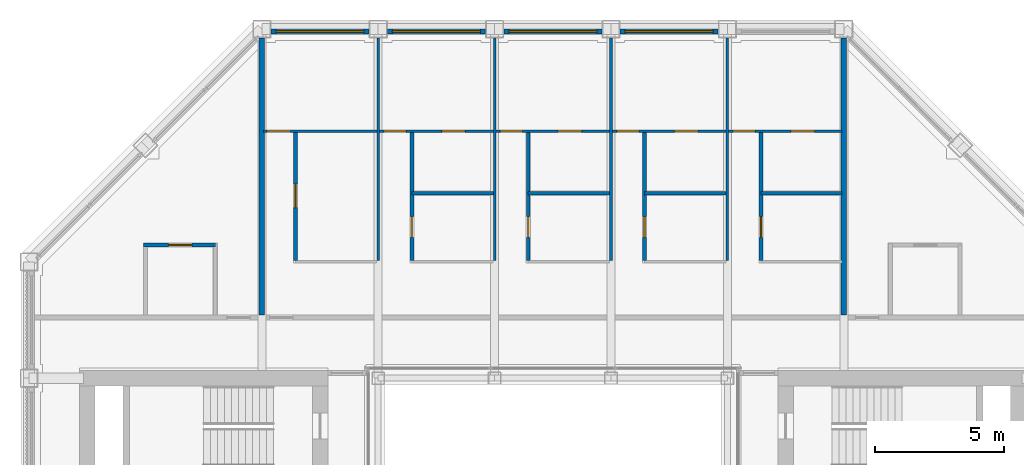
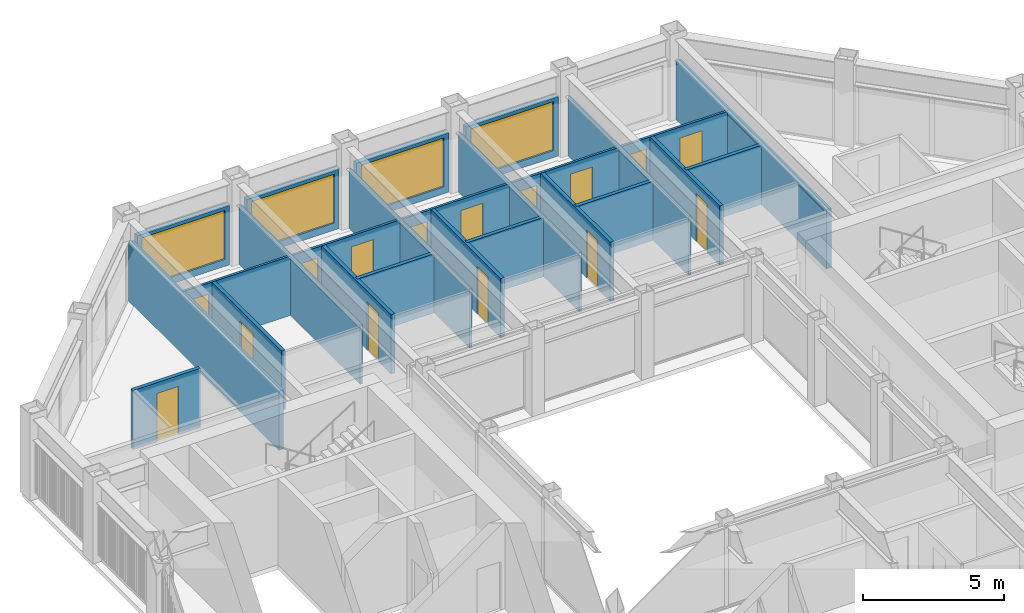
# One storey, part 12 of 17: 25 walls, 15 doors, 4 windows, 19 openings.
"""IFC4 building model written with IfcOpenShell, lengths in metres."""

from ifc_helpers import new_model, si_unit, direction, frame, frame_2d, origin, place, context, subcontext, project, spatial, rectangle, extrude, material, layer, layer_set, type_object, element, fill, save


model = new_model("IFC4")

# Units and contexts
model_context = context("Model", 3, precision=1e-05, world=origin(), true_north=direction((0.0, 1.0)))
body_context = subcontext(model_context, "Body", "Model", "MODEL_VIEW")
ifc_project = project(units=[si_unit("LENGTHUNIT", "METRE"), si_unit("AREAUNIT", "SQUARE_METRE"), si_unit("VOLUMEUNIT", "CUBIC_METRE"), si_unit("PLANEANGLEUNIT", "RADIAN"), si_unit("MASSUNIT", "GRAM", prefix="KILO")], contexts=[model_context])

# Site, building, storey
site_placement = place(None, origin())
site = spatial("IfcSite", under=ifc_project, at=site_placement, CompositionType="ELEMENT")
building_placement = place(site_placement, origin())
building = spatial("IfcBuilding", under=site, at=building_placement, Name="Msasa Ring Tower", CompositionType="ELEMENT")
storey_placement = place(building_placement, frame((0.0, 0.0, 253.300048828125)))
storey = spatial("IfcBuildingStorey", under=building, at=storey_placement, Name="L66", CompositionType="ELEMENT", Elevation=253.300048828125)

# Wall, opening, window
ifc_material_1 = material(Name="Terracotta rainscreen on blockwork", Category="masonry")
ifc_layer_1 = layer(ifc_material_1, 0.199951171875)
ifc_layer_set_1 = layer_set([ifc_layer_1], Name="FW1 TERRACOTTA-LINED INFILL BAY WALL 200")
wall_type_1 = type_object("IfcWallType", Name="FW1 TERRACOTTA-LINED INFILL BAY WALL 200", PredefinedType="SOLIDWALL", material=ifc_layer_set_1)
wall_1_placement = place(storey_placement, frame((-10.89501953125, 20.14990234375, 0.0), z_axis=(0.0, 0.0, 1.0), x_axis=(1.0, 0.0, 0.0)))
wall_1 = element("IfcWall", 1, at=wall_1_placement, inside=storey, type_object=wall_type_1, Name="Infill bay wall N L66 14", PredefinedType="SOLIDWALL", context=body_context, shape_type="SweptSolid", body=[
    extrude(rectangle(XDim=3.7900390625, YDim=0.199951171875, at=frame_2d((1.89501953125, 0.0))), origin(), (0.0, 0.0, 1.0), 2.578857421875),
])
opening_1_placement = place(wall_1_placement, frame((0.195068359375, 0.0, 0.300048828125)))
opening_1 = element("IfcOpeningElement", 2, at=opening_1_placement, cuts=wall_1, Name="Opening WN8", PredefinedType="OPENING", context=body_context, shape_type="SweptSolid", body=[
    extrude(rectangle(XDim=3.39990234375, YDim=2.12890625, at=frame_2d((1.699951171875, 1.064453125))), frame((0.0, 0.10986328125, 0.0), z_axis=(0.0, -1.0, 0.0), x_axis=(1.0, 0.0, 0.0)), (0.0, 0.0, 1.0), 0.219970703125),
])
ifc_material_2 = material(Name="Aluminium frame with clear glass", Category="aluminium")
window_type = type_object("IfcWindowType", Name="WN8 SUITE WINDOW 3400x2129", PartitioningType="SINGLE_PANEL", PredefinedType="WINDOW", material=ifc_material_2)
window_1_placement = place(opening_1_placement, origin())
window_1 = element("IfcWindow", 3, at=window_1_placement, inside=storey, type_object=window_type, Name="Window N L66 14", OverallHeight=2.12890625, OverallWidth=3.39990234375, PartitioningType="SINGLE_PANEL", PredefinedType="WINDOW", context=body_context, shape_type="SweptSolid", body=[
    extrude(rectangle(XDim=3.39990234375, YDim=2.12890625, at=frame_2d((1.699951171875, 1.064453125))), frame((0.0, 0.030029296875, 0.0), z_axis=(0.0, -1.0, 0.0), x_axis=(1.0, 0.0, 0.0)), (0.0, 0.0, 1.0), 0.06005859375),
])
fill(opening_1, window_1)

wall_2_placement = place(storey_placement, frame((-6.39501953125, 20.14990234375, 0.0), z_axis=(0.0, 0.0, 1.0), x_axis=(1.0, 0.0, 0.0)))
wall_2 = element("IfcWall", 4, at=wall_2_placement, inside=storey, type_object=wall_type_1, Name="Infill bay wall N L66 15", PredefinedType="SOLIDWALL", context=body_context, shape_type="SweptSolid", body=[
    extrude(rectangle(XDim=3.7900390625, YDim=0.199951171875, at=frame_2d((1.89501953125, 0.0))), origin(), (0.0, 0.0, 1.0), 2.578857421875),
])
opening_2_placement = place(wall_2_placement, frame((0.195068359375, 0.0, 0.300048828125)))
opening_2 = element("IfcOpeningElement", 5, at=opening_2_placement, cuts=wall_2, Name="Opening WN8", PredefinedType="OPENING", context=body_context, shape_type="SweptSolid", body=[
    extrude(rectangle(XDim=3.39990234375, YDim=2.12890625, at=frame_2d((1.699951171875, 1.064453125))), frame((0.0, 0.10986328125, 0.0), z_axis=(0.0, -1.0, 0.0), x_axis=(1.0, 0.0, 0.0)), (0.0, 0.0, 1.0), 0.219970703125),
])
window_2_placement = place(opening_2_placement, origin())
window_2 = element("IfcWindow", 6, at=window_2_placement, inside=storey, type_object=window_type, Name="Window N L66 15", OverallHeight=2.12890625, OverallWidth=3.39990234375, PartitioningType="SINGLE_PANEL", PredefinedType="WINDOW", context=body_context, shape_type="SweptSolid", body=[
    extrude(rectangle(XDim=3.39990234375, YDim=2.12890625, at=frame_2d((1.699951171875, 1.064453125))), frame((0.0, 0.030029296875, 0.0), z_axis=(0.0, -1.0, 0.0), x_axis=(1.0, 0.0, 0.0)), (0.0, 0.0, 1.0), 0.06005859375),
])
fill(opening_2, window_2)

wall_3_placement = place(storey_placement, frame((-1.89501953125, 20.14990234375, 0.0), z_axis=(0.0, 0.0, 1.0), x_axis=(1.0, 0.0, 0.0)))
wall_3 = element("IfcWall", 7, at=wall_3_placement, inside=storey, type_object=wall_type_1, Name="Infill bay wall N L66 16", PredefinedType="SOLIDWALL", context=body_context, shape_type="SweptSolid", body=[
    extrude(rectangle(XDim=3.7900390625, YDim=0.199951171875, at=frame_2d((1.89501953125, 0.0))), origin(), (0.0, 0.0, 1.0), 2.578857421875),
])
opening_3_placement = place(wall_3_placement, frame((0.195068359375, 0.0, 0.300048828125)))
opening_3 = element("IfcOpeningElement", 8, at=opening_3_placement, cuts=wall_3, Name="Opening WN8", PredefinedType="OPENING", context=body_context, shape_type="SweptSolid", body=[
    extrude(rectangle(XDim=3.39990234375, YDim=2.12890625, at=frame_2d((1.699951171875, 1.064453125))), frame((0.0, 0.10986328125, 0.0), z_axis=(0.0, -1.0, 0.0), x_axis=(1.0, 0.0, 0.0)), (0.0, 0.0, 1.0), 0.219970703125),
])
window_3_placement = place(opening_3_placement, origin())
window_3 = element("IfcWindow", 9, at=window_3_placement, inside=storey, type_object=window_type, Name="Window N L66 16", OverallHeight=2.12890625, OverallWidth=3.39990234375, PartitioningType="SINGLE_PANEL", PredefinedType="WINDOW", context=body_context, shape_type="SweptSolid", body=[
    extrude(rectangle(XDim=3.39990234375, YDim=2.12890625, at=frame_2d((1.699951171875, 1.064453125))), frame((0.0, 0.030029296875, 0.0), z_axis=(0.0, -1.0, 0.0), x_axis=(1.0, 0.0, 0.0)), (0.0, 0.0, 1.0), 0.06005859375),
])
fill(opening_3, window_3)

wall_4_placement = place(storey_placement, frame((2.60498046875, 20.14990234375, 0.0), z_axis=(0.0, 0.0, 1.0), x_axis=(1.0, 0.0, 0.0)))
wall_4 = element("IfcWall", 10, at=wall_4_placement, inside=storey, type_object=wall_type_1, Name="Infill bay wall N L66 17", PredefinedType="SOLIDWALL", context=body_context, shape_type="SweptSolid", body=[
    extrude(rectangle(XDim=3.7900390625, YDim=0.199951171875, at=frame_2d((1.89501953125, 0.0))), origin(), (0.0, 0.0, 1.0), 2.578857421875),
])
opening_4_placement = place(wall_4_placement, frame((0.195068359375, 0.0, 0.300048828125)))
opening_4 = element("IfcOpeningElement", 11, at=opening_4_placement, cuts=wall_4, Name="Opening WN8", PredefinedType="OPENING", context=body_context, shape_type="SweptSolid", body=[
    extrude(rectangle(XDim=3.39990234375, YDim=2.12890625, at=frame_2d((1.699951171875, 1.064453125))), frame((0.0, 0.10986328125, 0.0), z_axis=(0.0, -1.0, 0.0), x_axis=(1.0, 0.0, 0.0)), (0.0, 0.0, 1.0), 0.219970703125),
])
window_4_placement = place(opening_4_placement, origin())
window_4 = element("IfcWindow", 12, at=window_4_placement, inside=storey, type_object=window_type, Name="Window N L66 17", OverallHeight=2.12890625, OverallWidth=3.39990234375, PartitioningType="SINGLE_PANEL", PredefinedType="WINDOW", context=body_context, shape_type="SweptSolid", body=[
    extrude(rectangle(XDim=3.39990234375, YDim=2.12890625, at=frame_2d((1.699951171875, 1.064453125))), frame((0.0, 0.030029296875, 0.0), z_axis=(0.0, -1.0, 0.0), x_axis=(1.0, 0.0, 0.0)), (0.0, 0.0, 1.0), 0.06005859375),
])
fill(opening_4, window_4)

# Wall, opening, door
ifc_material_3 = material(Name="Gypsum board on steel studs", Category="steel")
ifc_layer_2 = layer(ifc_material_3, 0.10009765625)
ifc_layer_set_2 = layer_set([ifc_layer_2], Name="PT2 STUD PARTITION 100")
wall_type_2 = type_object("IfcWallType", Name="PT2 STUD PARTITION 100", PredefinedType="PARTITIONING", material=ifc_layer_set_2)
wall_5_placement = place(storey_placement, frame((-11.18994140625, 16.300048828125, 0.0), z_axis=(0.0, 0.0, 1.0), x_axis=(1.0, 0.0, 0.0)))
wall_5 = element("IfcWall", 13, at=wall_5_placement, inside=storey, type_object=wall_type_2, Name="Partition L66-JN00SY0", PredefinedType="PARTITIONING", context=body_context, shape_type="SweptSolid", body=[
    extrude(rectangle(XDim=4.389892578125, YDim=0.10009765625, at=frame_2d((2.19482421875, 0.0))), origin(), (0.0, 0.0, 1.0), 2.5732421875),
])
opening_5_placement = place(wall_5_placement, frame((0.139892578125, 0.0, 0.0)))
opening_5 = element("IfcOpeningElement", 14, at=opening_5_placement, cuts=wall_5, Name="Opening SE-001", PredefinedType="OPENING", context=body_context, shape_type="SweptSolid", body=[
    extrude(rectangle(XDim=0.89990234375, YDim=2.10009765625, at=frame_2d((0.449951171875, 1.050048828125))), frame((0.0, 0.06005859375, 0.0), z_axis=(0.0, -1.0, 0.0), x_axis=(1.0, 0.0, 0.0)), (0.0, 0.0, 1.0), 0.1201171875),
])
ifc_material_4 = material(Name="Timber door leaf in a steel frame", Category="steel")
door_type_1 = type_object("IfcDoorType", Name="D22 INTERNAL HALL DOOR 900x2100", OperationType="SINGLE_SWING_LEFT", PredefinedType="DOOR", material=ifc_material_4)
door_1_placement = place(opening_5_placement, origin())
door_1 = element("IfcDoor", 15, at=door_1_placement, inside=storey, type_object=door_type_1, Name="Door L66-JN00L", OperationType="SINGLE_SWING_LEFT", OverallHeight=2.10009765625, OverallWidth=0.89990234375, PredefinedType="DOOR", context=body_context, shape_type="SweptSolid", body=[
    extrude(rectangle(XDim=0.89990234375, YDim=2.10009765625, at=frame_2d((0.449951171875, 1.050048828125))), frame((0.0, 0.02490234375, 0.0), z_axis=(0.0, -1.0, 0.0), x_axis=(1.0, 0.0, 0.0)), (0.0, 0.0, 1.0), 0.050048828125),
])
fill(opening_5, door_1)

# Wall
wall_6_placement = place(storey_placement, frame((-6.75, 11.300048828125, 0.0), z_axis=(0.0, 0.0, 1.0), x_axis=(0.0, 1.0, 0.0)))
element("IfcWall", 16, at=wall_6_placement, inside=storey, type_object=wall_type_2, Name="Partition L66-JN00P1", PredefinedType="PARTITIONING", context=body_context, shape_type="SweptSolid", body=[
    extrude(rectangle(XDim=8.599853515625, YDim=0.10009765625, at=frame_2d((4.2998046875, 0.0))), origin(), (0.0, 0.0, 1.0), 2.5732421875),
])

# Wall, openings, doors
wall_7_placement = place(storey_placement, frame((-6.699951171875, 16.300048828125, 0.0), z_axis=(0.0, 0.0, 1.0), x_axis=(1.0, 0.0, 0.0)))
wall_7 = element("IfcWall", 17, at=wall_7_placement, inside=storey, type_object=wall_type_2, Name="Partition L66-JN00SY1", PredefinedType="PARTITIONING", context=body_context, shape_type="SweptSolid", body=[
    extrude(rectangle(XDim=4.39990234375, YDim=0.10009765625, at=frame_2d((2.199951171875, 0.0))), origin(), (0.0, 0.0, 1.0), 2.5732421875),
])
opening_6_placement = place(wall_7_placement, frame((0.175048828125, 0.0, 0.0)))
opening_6 = element("IfcOpeningElement", 18, at=opening_6_placement, cuts=wall_7, Name="Opening SE-002", PredefinedType="OPENING", context=body_context, shape_type="SweptSolid", body=[
    extrude(rectangle(XDim=0.85009765625, YDim=2.10009765625, at=frame_2d((0.425048828125, 1.050048828125))), frame((0.0, 0.06005859375, 0.0), z_axis=(0.0, -1.0, 0.0), x_axis=(1.0, 0.0, 0.0)), (0.0, 0.0, 1.0), 0.1201171875),
])
opening_7_placement = place(wall_7_placement, frame((2.409912109375, 0.0, 0.0)))
opening_7 = element("IfcOpeningElement", 19, at=opening_7_placement, cuts=wall_7, Name="Opening SE-003", PredefinedType="OPENING", context=body_context, shape_type="SweptSolid", body=[
    extrude(rectangle(XDim=0.89990234375, YDim=2.10009765625, at=frame_2d((0.449951171875, 1.050048828125))), frame((0.0, 0.06005859375, 0.0), z_axis=(0.0, -1.0, 0.0), x_axis=(1.0, 0.0, 0.0)), (0.0, 0.0, 1.0), 0.1201171875),
])
ifc_material_5 = material(Name="Timber door leaf in a steel frame", Category="steel")
door_type_2 = type_object("IfcDoorType", Name="D14 BEDROOM DOOR 850x2100", OperationType="SINGLE_SWING_LEFT", PredefinedType="DOOR", material=ifc_material_5)
door_2_placement = place(opening_6_placement, origin())
door_2 = element("IfcDoor", 20, at=door_2_placement, inside=storey, type_object=door_type_2, Name="Door L66-JN00R1", OperationType="SINGLE_SWING_LEFT", OverallHeight=2.10009765625, OverallWidth=0.85009765625, PredefinedType="DOOR", context=body_context, shape_type="SweptSolid", body=[
    extrude(rectangle(XDim=0.85009765625, YDim=2.10009765625, at=frame_2d((0.425048828125, 1.050048828125))), frame((0.0, 0.02490234375, 0.0), z_axis=(0.0, -1.0, 0.0), x_axis=(1.0, 0.0, 0.0)), (0.0, 0.0, 1.0), 0.050048828125),
])
fill(opening_6, door_2)
ifc_material_6 = material(Name="Timber door leaf in a steel frame", Category="steel")
door_type_3 = type_object("IfcDoorType", Name="D3 BATHROOM DOOR 900x2100", OperationType="SINGLE_SWING_LEFT", PredefinedType="DOOR", material=ifc_material_6)
door_3_placement = place(opening_7_placement, origin())
door_3 = element("IfcDoor", 21, at=door_3_placement, inside=storey, type_object=door_type_3, Name="Door L66-JN00B1", OperationType="SINGLE_SWING_RIGHT", OverallHeight=2.10009765625, OverallWidth=0.89990234375, PredefinedType="DOOR", context=body_context, shape_type="SweptSolid", body=[
    extrude(rectangle(XDim=0.89990234375, YDim=2.10009765625, at=frame_2d((0.449951171875, 1.050048828125))), frame((0.0, 0.02490234375, 0.0), z_axis=(0.0, -1.0, 0.0), x_axis=(1.0, 0.0, 0.0)), (0.0, 0.0, 1.0), 0.050048828125),
])
fill(opening_7, door_3)

# Wall
wall_8_placement = place(storey_placement, frame((-2.25, 11.300048828125, 0.0), z_axis=(0.0, 0.0, 1.0), x_axis=(0.0, 1.0, 0.0)))
element("IfcWall", 22, at=wall_8_placement, inside=storey, type_object=wall_type_2, Name="Partition L66-JN00P2", PredefinedType="PARTITIONING", context=body_context, shape_type="SweptSolid", body=[
    extrude(rectangle(XDim=8.599853515625, YDim=0.10009765625, at=frame_2d((4.2998046875, 0.0))), origin(), (0.0, 0.0, 1.0), 2.5732421875),
])

# Wall, openings, doors
wall_9_placement = place(storey_placement, frame((-2.199951171875, 16.300048828125, 0.0), z_axis=(0.0, 0.0, 1.0), x_axis=(1.0, 0.0, 0.0)))
wall_9 = element("IfcWall", 23, at=wall_9_placement, inside=storey, type_object=wall_type_2, Name="Partition L66-JN00SY2", PredefinedType="PARTITIONING", context=body_context, shape_type="SweptSolid", body=[
    extrude(rectangle(XDim=4.39990234375, YDim=0.10009765625, at=frame_2d((2.199951171875, 0.0))), origin(), (0.0, 0.0, 1.0), 2.5732421875),
])
opening_8_placement = place(wall_9_placement, frame((0.175048828125, 0.0, 0.0)))
opening_8 = element("IfcOpeningElement", 24, at=opening_8_placement, cuts=wall_9, Name="Opening SE-004", PredefinedType="OPENING", context=body_context, shape_type="SweptSolid", body=[
    extrude(rectangle(XDim=0.85009765625, YDim=2.10009765625, at=frame_2d((0.425048828125, 1.050048828125))), frame((0.0, 0.06005859375, 0.0), z_axis=(0.0, -1.0, 0.0), x_axis=(1.0, 0.0, 0.0)), (0.0, 0.0, 1.0), 0.1201171875),
])
opening_9_placement = place(wall_9_placement, frame((2.409912109375, 0.0, 0.0)))
opening_9 = element("IfcOpeningElement", 25, at=opening_9_placement, cuts=wall_9, Name="Opening SE-005", PredefinedType="OPENING", context=body_context, shape_type="SweptSolid", body=[
    extrude(rectangle(XDim=0.89990234375, YDim=2.10009765625, at=frame_2d((0.449951171875, 1.050048828125))), frame((0.0, 0.06005859375, 0.0), z_axis=(0.0, -1.0, 0.0), x_axis=(1.0, 0.0, 0.0)), (0.0, 0.0, 1.0), 0.1201171875),
])
door_4_placement = place(opening_8_placement, origin())
door_4 = element("IfcDoor", 26, at=door_4_placement, inside=storey, type_object=door_type_2, Name="Door L66-JN00R2", OperationType="SINGLE_SWING_LEFT", OverallHeight=2.10009765625, OverallWidth=0.85009765625, PredefinedType="DOOR", context=body_context, shape_type="SweptSolid", body=[
    extrude(rectangle(XDim=0.85009765625, YDim=2.10009765625, at=frame_2d((0.425048828125, 1.050048828125))), frame((0.0, 0.02490234375, 0.0), z_axis=(0.0, -1.0, 0.0), x_axis=(1.0, 0.0, 0.0)), (0.0, 0.0, 1.0), 0.050048828125),
])
fill(opening_8, door_4)
door_5_placement = place(opening_9_placement, origin())
door_5 = element("IfcDoor", 27, at=door_5_placement, inside=storey, type_object=door_type_3, Name="Door L66-JN00B2", OperationType="SINGLE_SWING_RIGHT", OverallHeight=2.10009765625, OverallWidth=0.89990234375, PredefinedType="DOOR", context=body_context, shape_type="SweptSolid", body=[
    extrude(rectangle(XDim=0.89990234375, YDim=2.10009765625, at=frame_2d((0.449951171875, 1.050048828125))), frame((0.0, 0.02490234375, 0.0), z_axis=(0.0, -1.0, 0.0), x_axis=(1.0, 0.0, 0.0)), (0.0, 0.0, 1.0), 0.050048828125),
])
fill(opening_9, door_5)

# Wall
wall_10_placement = place(storey_placement, frame((2.25, 11.300048828125, 0.0), z_axis=(0.0, 0.0, 1.0), x_axis=(0.0, 1.0, 0.0)))
element("IfcWall", 28, at=wall_10_placement, inside=storey, type_object=wall_type_2, Name="Partition L66-JN00P3", PredefinedType="PARTITIONING", context=body_context, shape_type="SweptSolid", body=[
    extrude(rectangle(XDim=8.599853515625, YDim=0.10009765625, at=frame_2d((4.2998046875, 0.0))), origin(), (0.0, 0.0, 1.0), 2.5732421875),
])

# Wall, openings, doors
wall_11_placement = place(storey_placement, frame((2.300048828125, 16.300048828125, 0.0), z_axis=(0.0, 0.0, 1.0), x_axis=(1.0, 0.0, 0.0)))
wall_11 = element("IfcWall", 29, at=wall_11_placement, inside=storey, type_object=wall_type_2, Name="Partition L66-JN00SY3", PredefinedType="PARTITIONING", context=body_context, shape_type="SweptSolid", body=[
    extrude(rectangle(XDim=4.39990234375, YDim=0.10009765625, at=frame_2d((2.199951171875, 0.0))), origin(), (0.0, 0.0, 1.0), 2.5732421875),
])
opening_10_placement = place(wall_11_placement, frame((0.175048828125, 0.0, 0.0)))
opening_10 = element("IfcOpeningElement", 30, at=opening_10_placement, cuts=wall_11, Name="Opening SE-006", PredefinedType="OPENING", context=body_context, shape_type="SweptSolid", body=[
    extrude(rectangle(XDim=0.85009765625, YDim=2.10009765625, at=frame_2d((0.425048828125, 1.050048828125))), frame((0.0, 0.06005859375, 0.0), z_axis=(0.0, -1.0, 0.0), x_axis=(1.0, 0.0, 0.0)), (0.0, 0.0, 1.0), 0.1201171875),
])
opening_11_placement = place(wall_11_placement, frame((2.409912109375, 0.0, 0.0)))
opening_11 = element("IfcOpeningElement", 31, at=opening_11_placement, cuts=wall_11, Name="Opening SE-007", PredefinedType="OPENING", context=body_context, shape_type="SweptSolid", body=[
    extrude(rectangle(XDim=0.89990234375, YDim=2.10009765625, at=frame_2d((0.449951171875, 1.050048828125))), frame((0.0, 0.06005859375, 0.0), z_axis=(0.0, -1.0, 0.0), x_axis=(1.0, 0.0, 0.0)), (0.0, 0.0, 1.0), 0.1201171875),
])
door_6_placement = place(opening_10_placement, origin())
door_6 = element("IfcDoor", 32, at=door_6_placement, inside=storey, type_object=door_type_2, Name="Door L66-JN00R3", OperationType="SINGLE_SWING_LEFT", OverallHeight=2.10009765625, OverallWidth=0.85009765625, PredefinedType="DOOR", context=body_context, shape_type="SweptSolid", body=[
    extrude(rectangle(XDim=0.85009765625, YDim=2.10009765625, at=frame_2d((0.425048828125, 1.050048828125))), frame((0.0, 0.02490234375, 0.0), z_axis=(0.0, -1.0, 0.0), x_axis=(1.0, 0.0, 0.0)), (0.0, 0.0, 1.0), 0.050048828125),
])
fill(opening_10, door_6)
door_7_placement = place(opening_11_placement, origin())
door_7 = element("IfcDoor", 33, at=door_7_placement, inside=storey, type_object=door_type_3, Name="Door L66-JN00B3", OperationType="SINGLE_SWING_RIGHT", OverallHeight=2.10009765625, OverallWidth=0.89990234375, PredefinedType="DOOR", context=body_context, shape_type="SweptSolid", body=[
    extrude(rectangle(XDim=0.89990234375, YDim=2.10009765625, at=frame_2d((0.449951171875, 1.050048828125))), frame((0.0, 0.02490234375, 0.0), z_axis=(0.0, -1.0, 0.0), x_axis=(1.0, 0.0, 0.0)), (0.0, 0.0, 1.0), 0.050048828125),
])
fill(opening_11, door_7)

# Wall
wall_12_placement = place(storey_placement, frame((6.75, 11.300048828125, 0.0), z_axis=(0.0, 0.0, 1.0), x_axis=(0.0, 1.0, 0.0)))
element("IfcWall", 34, at=wall_12_placement, inside=storey, type_object=wall_type_2, Name="Partition L66-JN00P4", PredefinedType="PARTITIONING", context=body_context, shape_type="SweptSolid", body=[
    extrude(rectangle(XDim=8.599853515625, YDim=0.10009765625, at=frame_2d((4.2998046875, 0.0))), origin(), (0.0, 0.0, 1.0), 2.5732421875),
])

# Wall, openings, doors
wall_13_placement = place(storey_placement, frame((6.800048828125, 16.300048828125, 0.0), z_axis=(0.0, 0.0, 1.0), x_axis=(1.0, 0.0, 0.0)))
wall_13 = element("IfcWall", 35, at=wall_13_placement, inside=storey, type_object=wall_type_2, Name="Partition L66-JN00SY4", PredefinedType="PARTITIONING", context=body_context, shape_type="SweptSolid", body=[
    extrude(rectangle(XDim=4.389892578125, YDim=0.10009765625, at=frame_2d((2.19482421875, 0.0))), origin(), (0.0, 0.0, 1.0), 2.5732421875),
])
opening_12_placement = place(wall_13_placement, frame((0.175048828125, 0.0, 0.0)))
opening_12 = element("IfcOpeningElement", 36, at=opening_12_placement, cuts=wall_13, Name="Opening SE-008", PredefinedType="OPENING", context=body_context, shape_type="SweptSolid", body=[
    extrude(rectangle(XDim=0.85009765625, YDim=2.10009765625, at=frame_2d((0.425048828125, 1.050048828125))), frame((0.0, 0.06005859375, 0.0), z_axis=(0.0, -1.0, 0.0), x_axis=(1.0, 0.0, 0.0)), (0.0, 0.0, 1.0), 0.1201171875),
])
opening_13_placement = place(wall_13_placement, frame((2.409912109375, 0.0, 0.0)))
opening_13 = element("IfcOpeningElement", 37, at=opening_13_placement, cuts=wall_13, Name="Opening SE-009", PredefinedType="OPENING", context=body_context, shape_type="SweptSolid", body=[
    extrude(rectangle(XDim=0.89990234375, YDim=2.10009765625, at=frame_2d((0.449951171875, 1.050048828125))), frame((0.0, 0.06005859375, 0.0), z_axis=(0.0, -1.0, 0.0), x_axis=(1.0, 0.0, 0.0)), (0.0, 0.0, 1.0), 0.1201171875),
])
door_8_placement = place(opening_12_placement, origin())
door_8 = element("IfcDoor", 38, at=door_8_placement, inside=storey, type_object=door_type_2, Name="Door L66-JN00R4", OperationType="SINGLE_SWING_LEFT", OverallHeight=2.10009765625, OverallWidth=0.85009765625, PredefinedType="DOOR", context=body_context, shape_type="SweptSolid", body=[
    extrude(rectangle(XDim=0.85009765625, YDim=2.10009765625, at=frame_2d((0.425048828125, 1.050048828125))), frame((0.0, 0.02490234375, 0.0), z_axis=(0.0, -1.0, 0.0), x_axis=(1.0, 0.0, 0.0)), (0.0, 0.0, 1.0), 0.050048828125),
])
fill(opening_12, door_8)
door_9_placement = place(opening_13_placement, origin())
door_9 = element("IfcDoor", 39, at=door_9_placement, inside=storey, type_object=door_type_3, Name="Door L66-JN00B4", OperationType="SINGLE_SWING_RIGHT", OverallHeight=2.10009765625, OverallWidth=0.89990234375, PredefinedType="DOOR", context=body_context, shape_type="SweptSolid", body=[
    extrude(rectangle(XDim=0.89990234375, YDim=2.10009765625, at=frame_2d((0.449951171875, 1.050048828125))), frame((0.0, 0.02490234375, 0.0), z_axis=(0.0, -1.0, 0.0), x_axis=(1.0, 0.0, 0.0)), (0.0, 0.0, 1.0), 0.050048828125),
])
fill(opening_13, door_9)

# Walls
ifc_material_7 = material(Name="Dense concrete blockwork, plastered both faces", Category="masonry")
ifc_layer_3 = layer(ifc_material_7, 0.25)
ifc_layer_set_3 = layer_set([ifc_layer_3], Name="PT3 APARTMENT SEPARATING WALL 250")
wall_type_3 = type_object("IfcWallType", Name="PT3 APARTMENT SEPARATING WALL 250", PredefinedType="PARTITIONING", material=ifc_layer_set_3)
for number, where, z_axis, x_axis, name in (
    (40, (-11.25, 9.199951171875, 0.0), (0.0, 0.0, 1.0), (0.0, 1.0, 0.0), "Party wall L66-PWN-11.25"),
    (41, (11.25, 9.199951171875, 0.0), (0.0, 0.0, 1.0), (0.0, 1.0, 0.0), "Party wall L66-PWN+11.25"),
):
    element("IfcWall", number, at=place(storey_placement, frame(where, z_axis=z_axis, x_axis=x_axis)), inside=storey, type_object=wall_type_3, Name=name, PredefinedType="PARTITIONING", context=body_context, shape_type="SweptSolid", body=[
        extrude(rectangle(XDim=10.699951171875, YDim=0.199951171875, at=frame_2d((5.35009765625, 0.0))), origin(), (0.0, 0.0, 1.0), 2.5732421875),
    ])

# Wall, opening, door
ifc_material_8 = material(Name="Moisture-resistant board on steel studs with a concealed cistern and pipe void, tiled", Category="steel")
ifc_layer_4 = layer(ifc_material_8, 0.14990234375)
ifc_layer_set_4 = layer_set([ifc_layer_4], Name="PT4 BATHROOM WET WALL 150")
wall_type_4 = type_object("IfcWallType", Name="PT4 BATHROOM WET WALL 150", PredefinedType="PARTITIONING", material=ifc_layer_set_4)
wall_14_placement = place(storey_placement, frame((-9.949951171875, 11.300048828125, 0.0), z_axis=(0.0, 0.0, 1.0), x_axis=(0.0, 1.0, 0.0)))
wall_14 = element("IfcWall", 42, at=wall_14_placement, inside=storey, type_object=wall_type_4, Name="Partition L66-JN00SX0", PredefinedType="PARTITIONING", context=body_context, shape_type="SweptSolid", body=[
    extrude(rectangle(XDim=5.0, YDim=0.14990234375, at=frame_2d((2.5, 0.0))), origin(), (0.0, 0.0, 1.0), 2.5732421875),
])
opening_14_placement = place(wall_14_placement, frame((2.050048828125, 0.0, 0.0)))
opening_14 = element("IfcOpeningElement", 43, at=opening_14_placement, cuts=wall_14, Name="Opening SE-010", PredefinedType="OPENING", context=body_context, shape_type="SweptSolid", body=[
    extrude(rectangle(XDim=0.89990234375, YDim=2.10009765625, at=frame_2d((0.449951171875, 1.050048828125))), frame((0.0, 0.0849609375, 0.0), z_axis=(0.0, -1.0, 0.0), x_axis=(1.0, 0.0, 0.0)), (0.0, 0.0, 1.0), 0.169921875),
])
door_10_placement = place(opening_14_placement, origin())
door_10 = element("IfcDoor", 44, at=door_10_placement, inside=storey, type_object=door_type_1, Name="Door L66-JN00K", OperationType="SINGLE_SWING_LEFT", OverallHeight=2.10009765625, OverallWidth=0.89990234375, PredefinedType="DOOR", context=body_context, shape_type="SweptSolid", body=[
    extrude(rectangle(XDim=0.89990234375, YDim=2.10009765625, at=frame_2d((0.449951171875, 1.050048828125))), frame((0.0, 0.02490234375, 0.0), z_axis=(0.0, -1.0, 0.0), x_axis=(1.0, 0.0, 0.0)), (0.0, 0.0, 1.0), 0.050048828125),
])
fill(opening_14, door_10)

wall_15_placement = place(storey_placement, frame((-5.449951171875, 11.300048828125, 0.0), z_axis=(0.0, 0.0, 1.0), x_axis=(0.0, 1.0, 0.0)))
wall_15 = element("IfcWall", 45, at=wall_15_placement, inside=storey, type_object=wall_type_4, Name="Partition L66-JN00SX1", PredefinedType="PARTITIONING", context=body_context, shape_type="SweptSolid", body=[
    extrude(rectangle(XDim=5.0, YDim=0.14990234375, at=frame_2d((2.5, 0.0))), origin(), (0.0, 0.0, 1.0), 2.5732421875),
])
opening_15_placement = place(wall_15_placement, frame((0.89990234375, 0.0, 0.0)))
opening_15 = element("IfcOpeningElement", 46, at=opening_15_placement, cuts=wall_15, Name="Opening SE-011", PredefinedType="OPENING", context=body_context, shape_type="SweptSolid", body=[
    extrude(rectangle(XDim=0.800048828125, YDim=2.10009765625, at=frame_2d((0.39990234375, 1.050048828125))), frame((0.0, 0.0849609375, 0.0), z_axis=(0.0, -1.0, 0.0), x_axis=(1.0, 0.0, 0.0)), (0.0, 0.0, 1.0), 0.169921875),
])
ifc_material_9 = material(Name="Timber door leaf in a steel frame", Category="steel")
door_type_4 = type_object("IfcDoorType", Name="D60 DRESSING ROOM DOOR 800x2100", OperationType="SINGLE_SWING_LEFT", PredefinedType="DOOR", material=ifc_material_9)
door_11_placement = place(opening_15_placement, origin())
door_11 = element("IfcDoor", 47, at=door_11_placement, inside=storey, type_object=door_type_4, Name="Door L66-JN00W1", OperationType="SINGLE_SWING_LEFT", OverallHeight=2.10009765625, OverallWidth=0.800048828125, PredefinedType="DOOR", context=body_context, shape_type="SweptSolid", body=[
    extrude(rectangle(XDim=0.800048828125, YDim=2.10009765625, at=frame_2d((0.39990234375, 1.050048828125))), frame((0.0, 0.02490234375, 0.0), z_axis=(0.0, -1.0, 0.0), x_axis=(1.0, 0.0, 0.0)), (0.0, 0.0, 1.0), 0.050048828125),
])
fill(opening_15, door_11)

# Wall
wall_16_placement = place(storey_placement, frame((-5.449951171875, 13.89990234375, 0.0), z_axis=(0.0, 0.0, 1.0), x_axis=(1.0, 0.0, 0.0)))
element("IfcWall", 48, at=wall_16_placement, inside=storey, type_object=wall_type_4, Name="Partition L66-JN00SB1", PredefinedType="PARTITIONING", context=body_context, shape_type="SweptSolid", body=[
    extrude(rectangle(XDim=3.14990234375, YDim=0.14990234375, at=frame_2d((1.574951171875, 0.0))), origin(), (0.0, 0.0, 1.0), 2.5732421875),
])

# Wall, opening, door
wall_17_placement = place(storey_placement, frame((-0.949951171875, 11.300048828125, 0.0), z_axis=(0.0, 0.0, 1.0), x_axis=(0.0, 1.0, 0.0)))
wall_17 = element("IfcWall", 49, at=wall_17_placement, inside=storey, type_object=wall_type_4, Name="Partition L66-JN00SX2", PredefinedType="PARTITIONING", context=body_context, shape_type="SweptSolid", body=[
    extrude(rectangle(XDim=5.0, YDim=0.14990234375, at=frame_2d((2.5, 0.0))), origin(), (0.0, 0.0, 1.0), 2.5732421875),
])
opening_16_placement = place(wall_17_placement, frame((0.89990234375, 0.0, 0.0)))
opening_16 = element("IfcOpeningElement", 50, at=opening_16_placement, cuts=wall_17, Name="Opening SE-012", PredefinedType="OPENING", context=body_context, shape_type="SweptSolid", body=[
    extrude(rectangle(XDim=0.800048828125, YDim=2.10009765625, at=frame_2d((0.39990234375, 1.050048828125))), frame((0.0, 0.0849609375, 0.0), z_axis=(0.0, -1.0, 0.0), x_axis=(1.0, 0.0, 0.0)), (0.0, 0.0, 1.0), 0.169921875),
])
door_12_placement = place(opening_16_placement, origin())
door_12 = element("IfcDoor", 51, at=door_12_placement, inside=storey, type_object=door_type_4, Name="Door L66-JN00W2", OperationType="SINGLE_SWING_LEFT", OverallHeight=2.10009765625, OverallWidth=0.800048828125, PredefinedType="DOOR", context=body_context, shape_type="SweptSolid", body=[
    extrude(rectangle(XDim=0.800048828125, YDim=2.10009765625, at=frame_2d((0.39990234375, 1.050048828125))), frame((0.0, 0.02490234375, 0.0), z_axis=(0.0, -1.0, 0.0), x_axis=(1.0, 0.0, 0.0)), (0.0, 0.0, 1.0), 0.050048828125),
])
fill(opening_16, door_12)

# Wall
wall_18_placement = place(storey_placement, frame((-0.949951171875, 13.89990234375, 0.0), z_axis=(0.0, 0.0, 1.0), x_axis=(1.0, 0.0, 0.0)))
element("IfcWall", 52, at=wall_18_placement, inside=storey, type_object=wall_type_4, Name="Partition L66-JN00SB2", PredefinedType="PARTITIONING", context=body_context, shape_type="SweptSolid", body=[
    extrude(rectangle(XDim=3.14990234375, YDim=0.14990234375, at=frame_2d((1.574951171875, 0.0))), origin(), (0.0, 0.0, 1.0), 2.5732421875),
])

# Wall, opening, door
wall_19_placement = place(storey_placement, frame((3.550048828125, 11.300048828125, 0.0), z_axis=(0.0, 0.0, 1.0), x_axis=(0.0, 1.0, 0.0)))
wall_19 = element("IfcWall", 53, at=wall_19_placement, inside=storey, type_object=wall_type_4, Name="Partition L66-JN00SX3", PredefinedType="PARTITIONING", context=body_context, shape_type="SweptSolid", body=[
    extrude(rectangle(XDim=5.0, YDim=0.14990234375, at=frame_2d((2.5, 0.0))), origin(), (0.0, 0.0, 1.0), 2.5732421875),
])
opening_17_placement = place(wall_19_placement, frame((0.89990234375, 0.0, 0.0)))
opening_17 = element("IfcOpeningElement", 54, at=opening_17_placement, cuts=wall_19, Name="Opening SE-013", PredefinedType="OPENING", context=body_context, shape_type="SweptSolid", body=[
    extrude(rectangle(XDim=0.800048828125, YDim=2.10009765625, at=frame_2d((0.39990234375, 1.050048828125))), frame((0.0, 0.0849609375, 0.0), z_axis=(0.0, -1.0, 0.0), x_axis=(1.0, 0.0, 0.0)), (0.0, 0.0, 1.0), 0.169921875),
])
door_13_placement = place(opening_17_placement, origin())
door_13 = element("IfcDoor", 55, at=door_13_placement, inside=storey, type_object=door_type_4, Name="Door L66-JN00W3", OperationType="SINGLE_SWING_LEFT", OverallHeight=2.10009765625, OverallWidth=0.800048828125, PredefinedType="DOOR", context=body_context, shape_type="SweptSolid", body=[
    extrude(rectangle(XDim=0.800048828125, YDim=2.10009765625, at=frame_2d((0.39990234375, 1.050048828125))), frame((0.0, 0.02490234375, 0.0), z_axis=(0.0, -1.0, 0.0), x_axis=(1.0, 0.0, 0.0)), (0.0, 0.0, 1.0), 0.050048828125),
])
fill(opening_17, door_13)

# Wall
wall_20_placement = place(storey_placement, frame((3.550048828125, 13.89990234375, 0.0), z_axis=(0.0, 0.0, 1.0), x_axis=(1.0, 0.0, 0.0)))
element("IfcWall", 56, at=wall_20_placement, inside=storey, type_object=wall_type_4, Name="Partition L66-JN00SB3", PredefinedType="PARTITIONING", context=body_context, shape_type="SweptSolid", body=[
    extrude(rectangle(XDim=3.14990234375, YDim=0.14990234375, at=frame_2d((1.574951171875, 0.0))), origin(), (0.0, 0.0, 1.0), 2.5732421875),
])

# Wall, opening, door
wall_21_placement = place(storey_placement, frame((8.050048828125, 11.300048828125, 0.0), z_axis=(0.0, 0.0, 1.0), x_axis=(0.0, 1.0, 0.0)))
wall_21 = element("IfcWall", 57, at=wall_21_placement, inside=storey, type_object=wall_type_4, Name="Partition L66-JN00SX4", PredefinedType="PARTITIONING", context=body_context, shape_type="SweptSolid", body=[
    extrude(rectangle(XDim=5.0, YDim=0.14990234375, at=frame_2d((2.5, 0.0))), origin(), (0.0, 0.0, 1.0), 2.5732421875),
])
opening_18_placement = place(wall_21_placement, frame((0.89990234375, 0.0, 0.0)))
opening_18 = element("IfcOpeningElement", 58, at=opening_18_placement, cuts=wall_21, Name="Opening SE-014", PredefinedType="OPENING", context=body_context, shape_type="SweptSolid", body=[
    extrude(rectangle(XDim=0.800048828125, YDim=2.10009765625, at=frame_2d((0.39990234375, 1.050048828125))), frame((0.0, 0.0849609375, 0.0), z_axis=(0.0, -1.0, 0.0), x_axis=(1.0, 0.0, 0.0)), (0.0, 0.0, 1.0), 0.169921875),
])
door_14_placement = place(opening_18_placement, origin())
door_14 = element("IfcDoor", 59, at=door_14_placement, inside=storey, type_object=door_type_4, Name="Door L66-JN00W4", OperationType="SINGLE_SWING_LEFT", OverallHeight=2.10009765625, OverallWidth=0.800048828125, PredefinedType="DOOR", context=body_context, shape_type="SweptSolid", body=[
    extrude(rectangle(XDim=0.800048828125, YDim=2.10009765625, at=frame_2d((0.39990234375, 1.050048828125))), frame((0.0, 0.02490234375, 0.0), z_axis=(0.0, -1.0, 0.0), x_axis=(1.0, 0.0, 0.0)), (0.0, 0.0, 1.0), 0.050048828125),
])
fill(opening_18, door_14)

# Wall
wall_22_placement = place(storey_placement, frame((8.050048828125, 13.89990234375, 0.0), z_axis=(0.0, 0.0, 1.0), x_axis=(1.0, 0.0, 0.0)))
element("IfcWall", 60, at=wall_22_placement, inside=storey, type_object=wall_type_4, Name="Partition L66-JN00SB4", PredefinedType="PARTITIONING", context=body_context, shape_type="SweptSolid", body=[
    extrude(rectangle(XDim=3.139892578125, YDim=0.14990234375, at=frame_2d((1.56982421875, 0.0))), origin(), (0.0, 0.0, 1.0), 2.5732421875),
])

# Wall, opening, door
wall_23_placement = place(storey_placement, frame((-15.824951171875, 11.89990234375, 0.0), z_axis=(0.0, 0.0, 1.0), x_axis=(1.0, 0.0, 0.0)))
wall_23 = element("IfcWall", 61, at=wall_23_placement, inside=storey, type_object=wall_type_4, Name="Partition L66-CSNWBY", PredefinedType="PARTITIONING", context=body_context, shape_type="SweptSolid", body=[
    extrude(rectangle(XDim=2.77490234375, YDim=0.14990234375, at=frame_2d((1.387451171875, 0.0))), origin(), (0.0, 0.0, 1.0), 2.5732421875),
])
opening_19_placement = place(wall_23_placement, frame((0.97509765625, 0.0, 0.0)))
opening_19 = element("IfcOpeningElement", 62, at=opening_19_placement, cuts=wall_23, Name="Opening SE-015", PredefinedType="OPENING", context=body_context, shape_type="SweptSolid", body=[
    extrude(rectangle(XDim=0.89990234375, YDim=2.10009765625, at=frame_2d((0.449951171875, 1.050048828125))), frame((0.0, 0.0849609375, 0.0), z_axis=(0.0, -1.0, 0.0), x_axis=(1.0, 0.0, 0.0)), (0.0, 0.0, 1.0), 0.169921875),
])
door_15_placement = place(opening_19_placement, origin())
door_15 = element("IfcDoor", 63, at=door_15_placement, inside=storey, type_object=door_type_3, Name="Door L66-CSNWB1", OperationType="SINGLE_SWING_RIGHT", OverallHeight=2.10009765625, OverallWidth=0.89990234375, PredefinedType="DOOR", context=body_context, shape_type="SweptSolid", body=[
    extrude(rectangle(XDim=0.89990234375, YDim=2.10009765625, at=frame_2d((0.449951171875, 1.050048828125))), frame((0.0, 0.02490234375, 0.0), z_axis=(0.0, -1.0, 0.0), x_axis=(1.0, 0.0, 0.0)), (0.0, 0.0, 1.0), 0.050048828125),
])
fill(opening_19, door_15)

save(model, "model.ifc")
